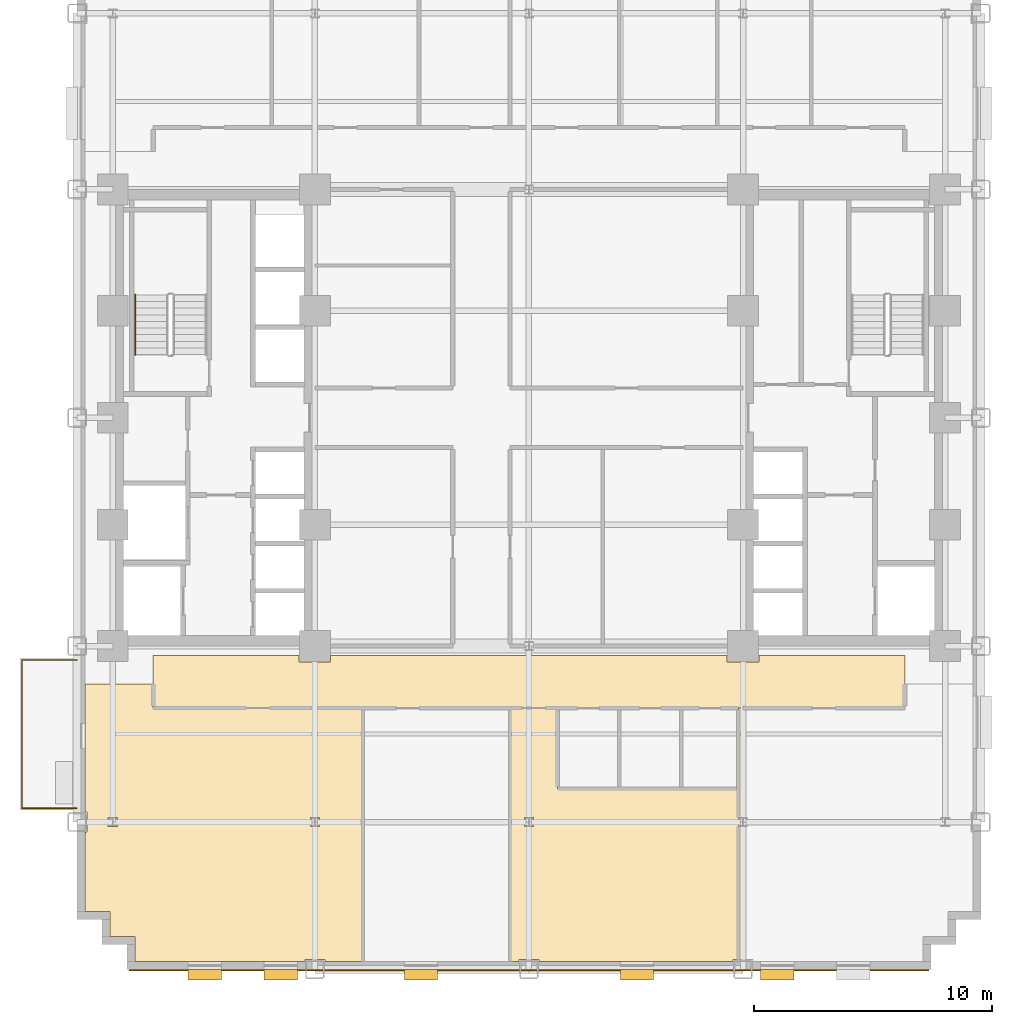
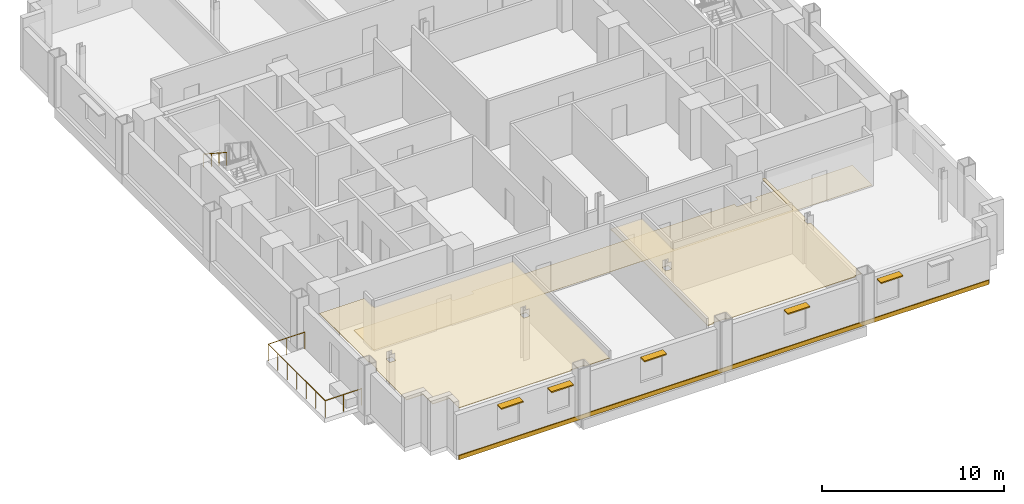
# One storey, part 9 of 12: 5 shading devices, 4 coverings, 2 railings.
"""IFC4 building model written with IfcOpenShell, lengths in metres."""

from ifc_helpers import new_model, si_unit, direction, frame, origin, origin_2d, place, context, subcontext, project, spatial, polyline, rectangle, circle, outline, extrude, source, transform, mapped, material, layer, layer_set, type_object, type_shapes, element, save


model = new_model("IFC4")

# Units and contexts
model_context = context("Model", 3, precision=1e-05, world=origin(), true_north=direction((0.0, 1.0)))
body_context = subcontext(model_context, "Body", "Model", "MODEL_VIEW")
ifc_project = project(units=[si_unit("LENGTHUNIT", "METRE"), si_unit("AREAUNIT", "SQUARE_METRE"), si_unit("VOLUMEUNIT", "CUBIC_METRE"), si_unit("PLANEANGLEUNIT", "RADIAN"), si_unit("MASSUNIT", "GRAM", prefix="KILO")], contexts=[model_context])

# Site, building, storey
site_placement = place(None, origin())
site = spatial("IfcSite", under=ifc_project, at=site_placement, CompositionType="ELEMENT")
building_placement = place(site_placement, origin())
building = spatial("IfcBuilding", under=site, at=building_placement, Name="Nuvemarco Arch Tower", CompositionType="ELEMENT")
storey_placement = place(building_placement, frame((0.0, 0.0, 31.25)))
storey = spatial("IfcBuildingStorey", under=building, at=storey_placement, Name="L07", CompositionType="ELEMENT", Elevation=31.25)

# Coverings
ifc_material_1 = material(Name="Mineral acoustic ceiling tile")
ifc_layer_1 = layer(ifc_material_1, 0.0400390625, Name="COV-ACOUSTIC-CLG")
ifc_layer_set_1 = layer_set([ifc_layer_1], Name="Mineral acoustic ceiling tile")
covering_type_1 = type_object("IfcCoveringType", Name="COV-ACOUSTIC-CLG", PredefinedType="CEILING", material=ifc_layer_set_1)
covering_1_placement = place(storey_placement, frame((0.0, 0.0, 2.85009765625)))
element("IfcCovering", 1, at=covering_1_placement, inside=storey, type_object=covering_type_1, Name="L07 suspended acoustic ceiling 1", PredefinedType="CEILING", context=body_context, shape_type="SweptSolid", body=[
    extrude(outline(polyline([(-18.659912109375, -20.760009765625), (-18.659912109375, -17.4150390625), (-18.5849609375, -17.4150390625), (-18.5849609375, -16.5849609375), (-18.659912109375, -16.5849609375), (-18.659912109375, -11.199951171875), (-15.800048828125, -11.199951171875), (-15.800048828125, -12.199951171875), (-6.989990234375, -12.199951171875), (-6.989990234375, -22.860107421875), (-8.5849609375, -22.860107421875), (-8.5849609375, -22.784912109375), (-9.4150390625, -22.784912109375), (-9.4150390625, -22.860107421875), (-16.56005859375, -22.860107421875), (-16.56005859375, -21.81005859375), (-17.610107421875, -21.81005859375), (-17.610107421875, -20.760009765625), (-18.659912109375, -20.760009765625)]), holes=[polyline([(-17.304931640625, -16.804931640625), (-17.695068359375, -16.804931640625), (-17.695068359375, -17.195068359375), (-17.304931640625, -17.195068359375), (-17.304931640625, -16.804931640625)]), polyline([(-8.804931640625, -17.195068359375), (-8.804931640625, -16.804931640625), (-9.195068359375, -16.804931640625), (-9.195068359375, -17.195068359375), (-8.804931640625, -17.195068359375)])]), origin(), (0.0, 0.0, 1.0), 0.039794921875),
])
covering_2_placement = place(storey_placement, frame((0.0, 0.0, 2.85009765625)))
element("IfcCovering", 2, at=covering_2_placement, inside=storey, type_object=covering_type_1, Name="L07 suspended acoustic ceiling 4", PredefinedType="CEILING", context=body_context, shape_type="SweptSolid", body=[
    extrude(outline(polyline([(3.800048828125, -15.60009765625), (6.39990234375, -15.60009765625), (8.800048828125, -15.60009765625), (8.800048828125, -12.199951171875), (9.0, -12.199951171875), (9.0, -16.804931640625), (8.804931640625, -16.804931640625), (8.804931640625, -17.195068359375), (9.0, -17.195068359375), (9.0, -22.784912109375), (8.5849609375, -22.784912109375), (8.5849609375, -22.860107421875), (0.4150390625, -22.860107421875), (0.4150390625, -22.784912109375), (-0.4150390625, -22.784912109375), (-0.4150390625, -22.860107421875), (-0.800048828125, -22.860107421875), (-0.800048828125, -12.199951171875), (1.199951171875, -12.199951171875), (1.199951171875, -15.60009765625), (3.800048828125, -15.60009765625)]), holes=[polyline([(0.195068359375, -17.195068359375), (0.195068359375, -16.804931640625), (-0.195068359375, -16.804931640625), (-0.195068359375, -17.195068359375), (0.195068359375, -17.195068359375)])]), origin(), (0.0, 0.0, 1.0), 0.039794921875),
])
ifc_material_2 = material(Name="Polished granite terrazzostone flooring", Category="masonry")
ifc_layer_2 = layer(ifc_material_2, 0.02001953125, Name="COV-LOBBY-FLR")
ifc_layer_set_2 = layer_set([ifc_layer_2], Name="Polished granite terrazzostone flooring")
covering_type_2 = type_object("IfcCoveringType", Name="COV-LOBBY-FLR", PredefinedType="FLOORING", material=ifc_layer_set_2)
covering_3_placement = place(storey_placement, origin())
element("IfcCovering", 3, at=covering_3_placement, inside=storey, type_object=covering_type_2, Name="L07 polished terrazzo lobby flooring", PredefinedType="FLOORING", context=body_context, shape_type="SweptSolid", body=[
    extrude(outline(polyline([(-9.6650390625, -10.264892578125), (-8.3349609375, -10.264892578125), (-8.3349609375, -10.0), (8.3349609375, -10.0), (8.3349609375, -10.264892578125), (9.6650390625, -10.264892578125), (9.6650390625, -10.0), (15.800048828125, -10.0), (15.800048828125, -12.199951171875), (-0.800048828125, -12.199951171875), (-3.199951171875, -12.199951171875), (-15.800048828125, -12.199951171875), (-15.800048828125, -10.0), (-9.6650390625, -10.0), (-9.6650390625, -10.264892578125)])), origin(), (0.0, 0.0, 1.0), 0.02001953125),
])

# Railings
ifc_material_3 = material(Name="Brushed stainless steel handrail", Category="steel")
railing_type_1 = type_object("IfcRailingType", Name="RL-HANDRAIL-900", PredefinedType="HANDRAIL", material=ifc_material_3)
railing_1_placement = place(storey_placement, frame((-16.550048828125, 5.169921875, 2.007568359375)))
element("IfcRailing", 4, at=railing_1_placement, inside=storey, type_object=railing_type_1, Name="L07 ST-1 stair handrail 2", PredefinedType="HANDRAIL", context=body_context, shape_type="SweptSolid", body=[
    extrude(circle(Radius=0.02392578125, at=origin_2d()), frame((0.0, 0.0, 0.8759765625), z_axis=(0.0, -0.837786554691, 0.545997883492), x_axis=(1.0, 0.0, 0.0)), (0.0, 0.0, 1.0), 3.008056640625),
    extrude(circle(Radius=0.02099609375, at=origin_2d()), origin(), (0.0, 0.0, 1.0), 0.851806640625),
    extrude(circle(Radius=0.02099609375, at=origin_2d()), frame((0.0, -0.840087890625, 0.54736328125)), (0.0, 0.0, 1.0), 0.851806640625),
    extrude(circle(Radius=0.02099609375, at=origin_2d()), frame((0.0, -1.679931640625, 1.094970703125)), (0.0, 0.0, 1.0), 0.851806640625),
    extrude(circle(Radius=0.02099609375, at=origin_2d()), frame((0.0, -2.52001953125, 1.642333984375)), (0.0, 0.0, 1.0), 0.851806640625),
])
ifc_material_4 = material(Name="Dark anodised balustrade steel S355", Category="steel")
railing_type_2 = type_object("IfcRailingType", Name="RL-TERR-GUARD", PredefinedType="BALUSTRADE", material=ifc_material_4)
railing_2_placement = place(storey_placement, frame((-19.0, -16.419921875, 0.0)))
element("IfcRailing", 5, at=railing_2_placement, inside=storey, type_object=railing_type_2, Name="L07 spiral terrace perimeter balustrade guard", PredefinedType="BALUSTRADE", context=body_context, shape_type="SweptSolid", body=[
    extrude(circle(Radius=0.02392578125, at=origin_2d()), frame((0.0, 0.0, 1.1259765625), z_axis=(-1.0, 0.0, 0.0), x_axis=(0.0, -1.0, 0.0)), (0.0, 0.0, 1.0), 2.320068359375),
    extrude(circle(Radius=0.02392578125, at=origin_2d()), frame((-2.320068359375, 0.0, 1.1259765625), z_axis=(0.0, 1.0, 0.0), x_axis=(-1.0, 0.0, 0.0)), (0.0, 0.0, 1.0), 6.239990234375),
    extrude(circle(Radius=0.02392578125, at=origin_2d()), frame((-2.320068359375, 6.239990234375, 1.1259765625), z_axis=(1.0, 0.0, 0.0), x_axis=(0.0, 1.0, 0.0)), (0.0, 0.0, 1.0), 2.320068359375),
    extrude(circle(Radius=0.02099609375, at=origin_2d()), origin(), (0.0, 0.0, 1.0), 1.101806640625),
    extrude(circle(Radius=0.02099609375, at=origin_2d()), frame((-1.16015625, 0.0, 0.0)), (0.0, 0.0, 1.0), 1.101806640625),
    extrude(circle(Radius=0.02099609375, at=origin_2d()), frame((-2.320068359375, 0.0, 0.0)), (0.0, 0.0, 1.0), 1.101806640625),
    extrude(circle(Radius=0.02099609375, at=origin_2d()), frame((-2.320068359375, 1.0400390625, 0.0)), (0.0, 0.0, 1.0), 1.101806640625),
    extrude(circle(Radius=0.02099609375, at=origin_2d()), frame((-2.320068359375, 2.080078125, 0.0)), (0.0, 0.0, 1.0), 1.101806640625),
    extrude(circle(Radius=0.02099609375, at=origin_2d()), frame((-2.320068359375, 3.1201171875, 0.0)), (0.0, 0.0, 1.0), 1.101806640625),
    extrude(circle(Radius=0.02099609375, at=origin_2d()), frame((-2.320068359375, 4.159912109375, 0.0)), (0.0, 0.0, 1.0), 1.101806640625),
    extrude(circle(Radius=0.02099609375, at=origin_2d()), frame((-2.320068359375, 5.199951171875, 0.0)), (0.0, 0.0, 1.0), 1.101806640625),
    extrude(circle(Radius=0.02099609375, at=origin_2d()), frame((-2.320068359375, 6.239990234375, 0.0)), (0.0, 0.0, 1.0), 1.101806640625),
    extrude(circle(Radius=0.02099609375, at=origin_2d()), frame((-1.16015625, 6.239990234375, 0.0)), (0.0, 0.0, 1.0), 1.101806640625),
    extrude(circle(Radius=0.02099609375, at=origin_2d()), frame((0.0, 6.239990234375, 0.0)), (0.0, 0.0, 1.0), 1.101806640625),
])

# Shading devices
ifc_material_5 = material(Name="Anodised aluminium 6063-T6", Category="aluminium")
shading_device_type = type_object("IfcShadingDeviceType", Name="SHD-BRISE-NARROW", PredefinedType="USERDEFINED", material=ifc_material_5)
shared_shape_1 = source(origin(), body_context, "Body", "SweptSolid", [
    extrude(rectangle(XDim=1.39990234375, YDim=0.449951171875, at=origin_2d()), origin(), (0.0, 0.0, 1.0), 0.080078125),
])
type_shapes(shading_device_type, [shared_shape_1])
for number, where, z_axis, x_axis, name in (
    (6, (-13.628662109375, -23.4150390625, 2.455078125), (0.0, 0.0, 1.0), (1.0, 0.0, 0.0), "L07 horizontal brise-soleil sunshade"),
    (7, (-10.435791015625, -23.4150390625, 2.455078125), (0.0, 0.0, 1.0), (1.0, 0.0, 0.0), "L07 horizontal brise-soleil sunshade"),
    (8, (-4.54296875, -23.4150390625, 2.455078125), (0.0, 0.0, 1.0), (1.0, 0.0, 0.0), "L07 horizontal brise-soleil sunshade"),
    (9, (4.54296875, -23.4150390625, 2.455078125), (0.0, 0.0, 1.0), (1.0, 0.0, 0.0), "L07 horizontal brise-soleil sunshade"),
    (10, (10.435791015625, -23.4150390625, 2.455078125), (0.0, 0.0, 1.0), (1.0, 0.0, 0.0), "L07 horizontal brise-soleil sunshade"),
):
    element("IfcShadingDevice", number, at=place(storey_placement, frame(where, z_axis=z_axis, x_axis=x_axis)), inside=storey, type_object=shading_device_type, Name=name, ObjectType="SUNSHADE", PredefinedType="USERDEFINED", context=body_context, shape_type="MappedRepresentation", body=[
        mapped(shared_shape_1, transform((0.0, 0.0, 0.0), scale=1.0)),
    ])

# Covering
ifc_material_6 = material(Name="Precast concrete C45/55", Category="concrete")
ifc_layer_3 = layer(ifc_material_6, 0.06005859375, Name="COV-SPANDREL-CLAD")
ifc_layer_set_3 = layer_set([ifc_layer_3], Name="Precast concrete C45/55")
covering_type_3 = type_object("IfcCoveringType", Name="COV-SPANDREL-CLAD", PredefinedType="CLADDING", material=ifc_layer_set_3)
shared_shape_2 = source(origin(), body_context, "Body", "SweptSolid", [
    extrude(rectangle(XDim=33.60009765625, YDim=0.06005859375, at=origin_2d()), origin(), (0.0, 0.0, 1.0), 0.280029296875),
])
type_shapes(covering_type_3, [shared_shape_2])
covering_4_placement = place(storey_placement, frame((0.0, -23.22900390625, -0.27978515625), z_axis=(0.0, 0.0, 1.0), x_axis=(1.0, 0.0, 0.0)))
element("IfcCovering", 11, at=covering_4_placement, inside=storey, type_object=covering_type_3, Name="L07 precast spandrel edge cladding south", PredefinedType="CLADDING", context=body_context, shape_type="MappedRepresentation", body=[
    mapped(shared_shape_2, transform((0.0, 0.0, 0.0), scale=1.0)),
])

save(model, "model.ifc")
